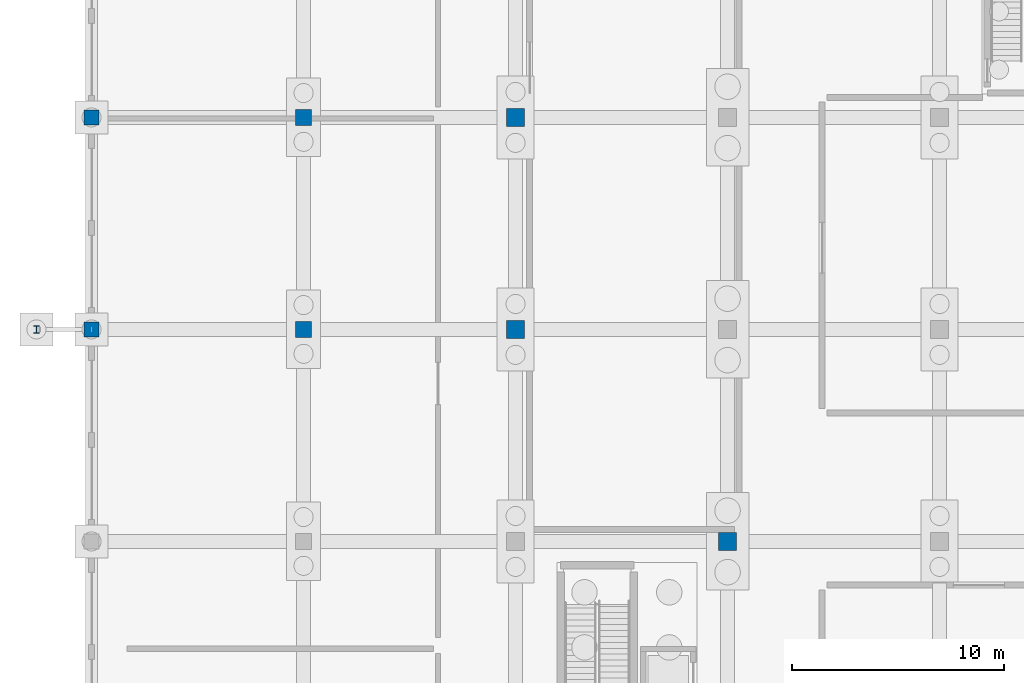
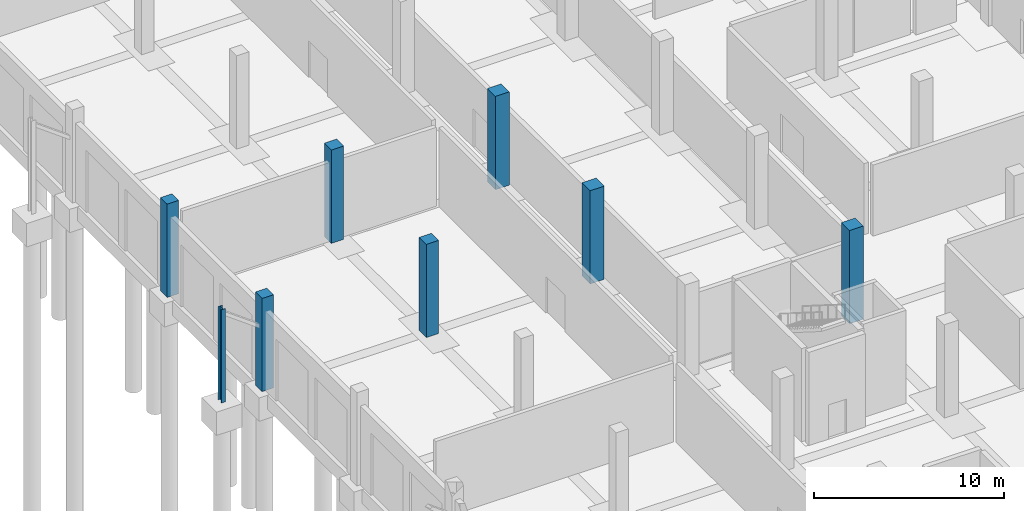
# One storey, part 16 of 140: 8 columns.
"""IFC4 building model written with IfcOpenShell, lengths in metres."""

from ifc_helpers import new_model, si_unit, direction, frame, origin, origin_2d, place, context, subcontext, project, spatial, rectangle, i_section, extrude, material, material_profile, profile_set, type_object, element, save


model = new_model("IFC4")

# Units and contexts
model_context = context("Model", 3, precision=1e-05, world=origin(), true_north=direction((0.0, 1.0)))
body_context = subcontext(model_context, "Body", "Model", "MODEL_VIEW")
ifc_project = project(units=[si_unit("LENGTHUNIT", "METRE"), si_unit("AREAUNIT", "SQUARE_METRE"), si_unit("VOLUMEUNIT", "CUBIC_METRE"), si_unit("PLANEANGLEUNIT", "RADIAN"), si_unit("MASSUNIT", "GRAM", prefix="KILO")], contexts=[model_context])

# Site, building, storey
site_placement = place(None, origin())
site = spatial("IfcSite", under=ifc_project, at=site_placement, CompositionType="ELEMENT")
building_placement = place(site_placement, origin())
building = spatial("IfcBuilding", under=site, at=building_placement, Name="Corvandel Quay Wholesale Market", CompositionType="ELEMENT")
storey_placement = place(building_placement, origin())
storey = spatial("IfcBuildingStorey", under=building, at=storey_placement, Name="L00", CompositionType="ELEMENT", Elevation=0.0)

# Columns
ifc_material_1 = material(Name="Precast concrete C45/55", Category="concrete")
ifc_material_profile_1 = material_profile(ifc_material_1, rectangle(XDim=0.85009765625, YDim=0.85009765625, at=origin_2d()), Name="PC-COL-850x850")
ifc_profile_set_1 = profile_set([ifc_material_profile_1], Name="Precast concrete C45/55")
column_type_1 = type_object("IfcColumnType", Name="Precast Column C01 850x850", PredefinedType="COLUMN", material=ifc_profile_set_1)
for number, where, z_axis, x_axis, name in (
    (1, (20.0, 50.0, 0.0), (0.0, 0.0, 1.0), (1.0, 0.0, 0.0), "Column COL-0623"),
    (2, (20.0, 60.0, 0.0), (0.0, 0.0, 1.0), (1.0, 0.0, 0.0), "Column COL-0626"),
    (3, (30.0, 40.0, 0.0), (0.0, 0.0, 1.0), (1.0, 0.0, 0.0), "Column COL-0660"),
):
    element("IfcColumn", number, at=place(storey_placement, frame(where, z_axis=z_axis, x_axis=x_axis)), inside=storey, type_object=column_type_1, Name=name, PredefinedType="COLUMN", context=body_context, shape_type="SweptSolid", body=[
        extrude(rectangle(XDim=0.85009765625, YDim=0.85009765625, at=origin_2d()), origin(), (0.0, 0.0, 1.0), 6.0),
    ])
ifc_material_profile_2 = material_profile(ifc_material_1, rectangle(XDim=0.75, YDim=0.75, at=origin_2d()), Name="PC-COL-750x750")
ifc_profile_set_2 = profile_set([ifc_material_profile_2], Name="Precast concrete C45/55")
column_type_2 = type_object("IfcColumnType", Name="Precast Column C03 750x750", PredefinedType="COLUMN", material=ifc_profile_set_2)
for number, where, z_axis, x_axis, name in (
    (4, (10.0, 50.0, 0.0), (0.0, 0.0, 1.0), (1.0, 0.0, 0.0), "Column COL-0604"),
    (5, (10.0, 60.0, 0.0), (0.0, 0.0, 1.0), (1.0, 0.0, 0.0), "Column COL-0605"),
):
    element("IfcColumn", number, at=place(storey_placement, frame(where, z_axis=z_axis, x_axis=x_axis)), inside=storey, type_object=column_type_2, Name=name, PredefinedType="COLUMN", context=body_context, shape_type="SweptSolid", body=[
        extrude(rectangle(XDim=0.75, YDim=0.75, at=origin_2d()), origin(), (0.0, 0.0, 1.0), 6.0),
    ])
ifc_material_profile_3 = material_profile(ifc_material_1, rectangle(XDim=0.699951171875, YDim=0.699951171875, at=origin_2d()), Name="PC-COL-700x700")
ifc_profile_set_3 = profile_set([ifc_material_profile_3], Name="Precast concrete C45/55")
column_type_3 = type_object("IfcColumnType", Name="Precast Column C04 700x700", PredefinedType="COLUMN", material=ifc_profile_set_3)
for number, where, z_axis, x_axis, name in (
    (6, (0.0, 50.0, 0.0), (0.0, 0.0, 1.0), (1.0, 0.0, 0.0), "Column COL-0593"),
    (7, (0.0, 60.0, 0.0), (0.0, 0.0, 1.0), (1.0, 0.0, 0.0), "Column COL-0594"),
):
    element("IfcColumn", number, at=place(storey_placement, frame(where, z_axis=z_axis, x_axis=x_axis)), inside=storey, type_object=column_type_3, Name=name, PredefinedType="COLUMN", context=body_context, shape_type="SweptSolid", body=[
        extrude(rectangle(XDim=0.699951171875, YDim=0.699951171875, at=origin_2d()), origin(), (0.0, 0.0, 1.0), 6.0),
    ])
ifc_material_2 = material(Name="Steel A992 Grade 50", Category="steel")
ifc_material_profile_4 = material_profile(ifc_material_2, i_section(OverallWidth=0.2548828125, OverallDepth=0.35693359375, WebThickness=0.010498046875, FlangeThickness=0.018310546875, at=origin_2d()), Name="W14X68")
ifc_profile_set_4 = profile_set([ifc_material_profile_4], Name="Steel A992 Grade 50")
column_type_4 = type_object("IfcColumnType", Name="Steel Canopy Column C13 W14X68", PredefinedType="COLUMN", material=ifc_profile_set_4)
column_placement = place(storey_placement, frame((-2.60009765625, 50.0, 0.0), z_axis=(0.0, 0.0, 1.0), x_axis=(1.0, 0.0, 0.0)))
element("IfcColumn", 8, at=column_placement, inside=storey, type_object=column_type_4, Name="Column COL-0585", PredefinedType="COLUMN", context=body_context, shape_type="SweptSolid", body=[
    extrude(i_section(OverallWidth=0.2548828125, OverallDepth=0.35693359375, WebThickness=0.010498046875, FlangeThickness=0.018310546875, at=origin_2d()), origin(), (0.0, 0.0, 1.0), 6.0),
])

save(model, "model.ifc")
